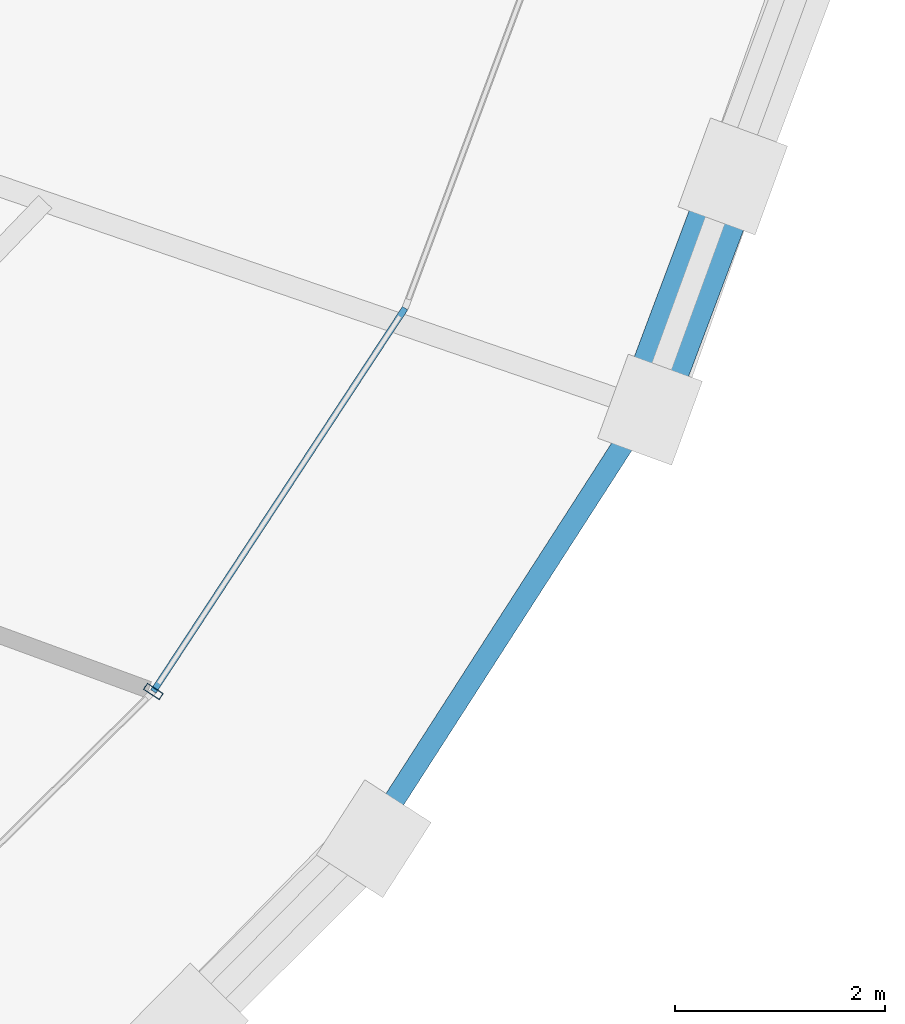
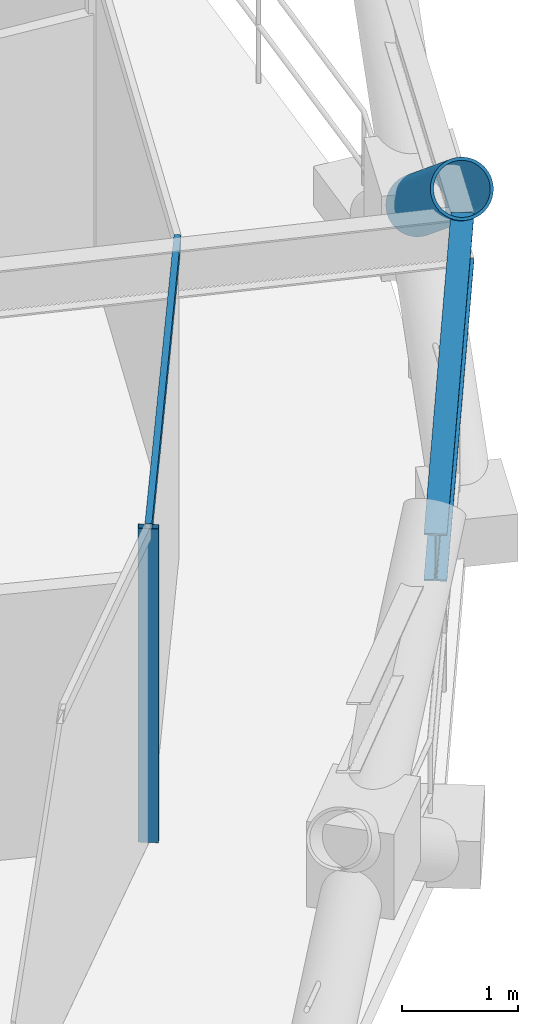
# One storey, part 7 of 21: 3 members, 1 beam, 1 element without a shape of its own.
"""IFC4 building model written with IfcOpenShell, lengths in metres."""

import ifcopenshell
import ifcopenshell.guid

model = None  # the IFC model being written
_history = None  # IfcOwnerHistory: only IFC2X3 demands one
_inside = {}  # id of a spatial element -> (the spatial element, [elements in it])
_under = {}  # id of a project, library or spatial element -> (it, [spatial elements below it])
_declared = {}  # id of a project -> (the project, [libraries it declares])
_typed = {}  # id of a type object -> (the type object, [elements of that type])
_made_of = {}  # id of a material, layer set ... -> (it, [elements and type objects made of it])


def new_model(schema):
    """Start an empty IFC model of exactly this schema.

    Asked for "IFC4X3", IfcOpenShell would pick the latest addendum, in which some entities
    have other attributes; the version numbers below select the first issue.
    IFC2X3 requires an IfcOwnerHistory on every rooted entity: one is made here for all.
    """
    global model, _history
    if schema == "IFC4X3":
        model = ifcopenshell.file(schema_version=(4, 3, 0, 0))
    else:
        model = ifcopenshell.file(schema=schema)
    _inside.clear()
    _under.clear()
    _declared.clear()
    _typed.clear()
    _made_of.clear()
    _history = None
    if model.schema == "IFC2X3":
        org = make("IfcOrganization", Name="unknown")
        user = make(
            "IfcPersonAndOrganization",
            ThePerson=make("IfcPerson", FamilyName="unknown"),
            TheOrganization=org,
        )
        app = make(
            "IfcApplication",
            ApplicationDeveloper=org,
            Version="unknown",
            ApplicationFullName="unknown",
            ApplicationIdentifier="unknown",
        )
        _history = make(
            "IfcOwnerHistory",
            OwningUser=user,
            OwningApplication=app,
            ChangeAction="ADDED",
            CreationDate=0,
        )
    return model


def make(cls, **values):
    """One entity of the class cls with the attributes given. An attribute that is None is left unset."""
    return model.create_entity(
        cls, **{name: value for name, value in values.items() if value is not None}
    )


def rooted(cls, **values):
    """An entity with a GlobalId (a new one), such as an element, a storey or a relation."""
    return make(cls, GlobalId=ifcopenshell.guid.new(), OwnerHistory=_history, **values)


def si_unit(unit_type, name, prefix=None):
    """IfcSIUnit, for example si_unit("LENGTHUNIT", "METRE", prefix="MILLI")."""
    return make("IfcSIUnit", UnitType=unit_type, Prefix=prefix, Name=name)


def assignment(units):
    """IfcUnitAssignment: the units of a project."""
    return None if units is None else make("IfcUnitAssignment", Units=units)


def point(xyz):
    """IfcCartesianPoint."""
    return None if xyz is None else make("IfcCartesianPoint", Coordinates=xyz)


def direction(xyz):
    """IfcDirection."""
    return None if xyz is None else make("IfcDirection", DirectionRatios=xyz)


def frame(location, z_axis=None, x_axis=None):
    """IfcAxis2Placement3D, a coordinate frame: its origin and axes. An axis left out is left unset."""
    return make(
        "IfcAxis2Placement3D",
        Location=point(location),
        Axis=direction(z_axis),
        RefDirection=direction(x_axis),
    )


def frame_2d(location, x_axis=None):
    """IfcAxis2Placement2D, a coordinate frame in the plane: its origin and x axis."""
    return make(
        "IfcAxis2Placement2D", Location=point(location), RefDirection=direction(x_axis)
    )


def origin():
    """The frame at (0, 0, 0) with its axes left unset."""
    return frame((0.0, 0.0, 0.0))


def origin_2d():
    """The frame at (0, 0) in the plane with its x axis left unset."""
    return frame_2d((0.0, 0.0))


def place(relative_to, where):
    """IfcLocalPlacement: puts the frame where relative to a parent placement (None: the world)."""
    return make(
        "IfcLocalPlacement", PlacementRelTo=relative_to, RelativePlacement=where
    )


def context(
    kind, dimensions, precision=None, world=None, true_north=None, identifier=None
):
    """IfcGeometricRepresentationContext, for example the 3D "Model" context."""
    return make(
        "IfcGeometricRepresentationContext",
        ContextIdentifier=identifier,
        ContextType=kind,
        CoordinateSpaceDimension=dimensions,
        Precision=precision,
        WorldCoordinateSystem=world,
        TrueNorth=true_north,
    )


def subcontext(parent, identifier, kind, view, scale=None):
    """IfcGeometricRepresentationSubContext, for example "Body" below "Model"."""
    return make(
        "IfcGeometricRepresentationSubContext",
        ContextIdentifier=identifier,
        ContextType=kind,
        ParentContext=parent,
        TargetScale=scale,
        TargetView=view,
    )


def project(units=None, contexts=None):
    """IfcProject with its units and contexts."""
    return rooted(
        "IfcProject",
        Name="project",
        RepresentationContexts=contexts,
        UnitsInContext=assignment(units),
    )


def spatial(cls, under=None, at=None, **own):
    """A site, building, storey or space (cls), placed at a placement, below another one or the project."""
    s = rooted(cls, ObjectPlacement=at, **own)
    if under is not None:
        _under.setdefault(under.id(), (under, []))[1].append(s)
    return s


def profile(cls, at=None, kind="AREA", **sizes):
    """A parametric profile (cls). Its sizes go by their IFC names, for example OverallWidth=200.0."""
    return make(cls, ProfileType=kind, Position=at, **sizes)


def hollow_rectangle(**sizes):
    """IfcRectangleHollowProfileDef."""
    return profile("IfcRectangleHollowProfileDef", **sizes)


def hollow_circle(**sizes):
    """IfcCircleHollowProfileDef."""
    return profile("IfcCircleHollowProfileDef", **sizes)


def i_section(**sizes):
    """IfcIShapeProfileDef."""
    return profile("IfcIShapeProfileDef", **sizes)


def extrude(swept, where, along, depth):
    """IfcExtrudedAreaSolid: the profile swept, set in the frame where, extruded along a direction by depth."""
    return make(
        "IfcExtrudedAreaSolid",
        SweptArea=swept,
        Position=where,
        ExtrudedDirection=direction(along),
        Depth=depth,
    )


def shape(context_of_items, identifier, shape_type, items):
    """IfcShapeRepresentation: the items that make up one representation, for example the "Body"."""
    return make(
        "IfcShapeRepresentation",
        ContextOfItems=context_of_items,
        RepresentationIdentifier=identifier,
        RepresentationType=shape_type,
        Items=items,
    )


def material(Name=None, Category=None):
    """IfcMaterial."""
    return make("IfcMaterial", Name=Name, Category=Category)


def layer(
    of_material, thickness, ventilated=None, Name=None, Category=None, Priority=None
):
    """IfcMaterialLayer: one layer of a wall or slab, of a material (None: an air gap)."""
    return make(
        "IfcMaterialLayer",
        Material=of_material,
        LayerThickness=thickness,
        IsVentilated=ventilated,
        Name=Name,
        Category=Category,
        Priority=Priority,
    )


def layer_set(layers, Name=None):
    """IfcMaterialLayerSet."""
    return make("IfcMaterialLayerSet", MaterialLayers=layers, LayerSetName=Name)


def material_profile(
    of_material, cross_section, Name=None, Category=None, Priority=None
):
    """IfcMaterialProfile: a cross section and its material."""
    return make(
        "IfcMaterialProfile",
        Name=Name,
        Material=of_material,
        Profile=cross_section,
        Priority=Priority,
        Category=Category,
    )


def profile_set(profiles, Name=None, composite=None):
    """IfcMaterialProfileSet."""
    return make(
        "IfcMaterialProfileSet",
        Name=Name,
        MaterialProfiles=profiles,
        CompositeProfile=composite,
    )


def made_of(thing, what):
    """Note that an element or type object is made of a material, layer set ...; save() writes the relation."""
    if what is not None:
        _made_of.setdefault(what.id(), (what, []))[1].append(thing)
    return thing


def type_object(cls, material=None, **own):
    """A type object (cls), such as IfcWallType, which elements share."""
    return made_of(rooted(cls, **own), material)


def element(
    cls,
    number,
    at=None,
    inside=None,
    cuts=None,
    type_object=None,
    material=None,
    context=None,
    identifier="Body",
    shape_type=None,
    held_by="IfcProductDefinitionShape",
    body=None,
    shapes=None,
    **own,
):
    """One element of the class cls, such as IfcWall. Its Tag is "e" and its number.

    at: its placement. inside: the storey or other place that contains it. cuts: it is an
    opening in that element (IfcRelVoidsElement). A single representation is given by context,
    identifier, shape_type and body (its items); several are given by shapes. held_by: the class
    of the entity that holds the representations. save() writes the other relations.
    """
    e = rooted(cls, Tag="e%d" % number, ObjectPlacement=at, **own)
    if body is not None:
        shapes = [shape(context, identifier, shape_type, body)]
    if shapes is not None:
        e.Representation = make(held_by, Representations=shapes)
    if inside is not None:
        _inside.setdefault(inside.id(), (inside, []))[1].append(e)
    if cuts is not None:
        rooted(
            "IfcRelVoidsElement", RelatingBuildingElement=cuts, RelatedOpeningElement=e
        )
    if type_object is not None:
        _typed.setdefault(type_object.id(), (type_object, []))[1].append(e)
    return made_of(e, material)


def aggregate(whole, parts):
    """IfcRelAggregates: a whole, such as a stair, and the parts it consists of."""
    return rooted("IfcRelAggregates", RelatingObject=whole, RelatedObjects=parts)


def save(model, path):
    """Write the relations noted so far, then the file.

    IfcRelAggregates (storeys below a building ...), IfcRelContainedInSpatialStructure (elements
    in a storey), IfcRelDefinesByType, IfcRelAssociatesMaterial and IfcRelDeclares: one each for
    every whole, place, type object, material and project.
    """
    for whole, parts in _under.values():
        aggregate(whole, parts)
    for where, things in _inside.values():
        rooted(
            "IfcRelContainedInSpatialStructure",
            RelatedElements=things,
            RelatingStructure=where,
        )
    for kind, things in _typed.values():
        rooted("IfcRelDefinesByType", RelatedObjects=things, RelatingType=kind)
    for what, things in _made_of.values():
        rooted("IfcRelAssociatesMaterial", RelatedObjects=things, RelatingMaterial=what)
    for by, libraries in _declared.values():
        rooted("IfcRelDeclares", RelatingContext=by, RelatedDefinitions=libraries)
    model.write(path)


model = new_model("IFC4")

# Units and contexts
model_context = context("Model", 3, precision=1e-05, world=origin(), true_north=direction((0.0, 1.0)))
body_context = subcontext(model_context, "Body", "Model", "MODEL_VIEW")
ifc_project = project(units=[si_unit("LENGTHUNIT", "METRE"), si_unit("AREAUNIT", "SQUARE_METRE"), si_unit("VOLUMEUNIT", "CUBIC_METRE"), si_unit("PLANEANGLEUNIT", "RADIAN"), si_unit("MASSUNIT", "GRAM", prefix="KILO")], contexts=[model_context])

# Site, building, storey
site_placement = place(None, origin())
site = spatial("IfcSite", under=ifc_project, at=site_placement, CompositionType="ELEMENT")
building_placement = place(site_placement, origin())
building = spatial("IfcBuilding", under=site, at=building_placement, Name="Veldorina Hangang Commons", CompositionType="ELEMENT")
storey_placement = place(building_placement, frame((0.0, 0.0, 142.39990234375)))
storey = spatial("IfcBuildingStorey", under=building, at=storey_placement, Name="L36", CompositionType="ELEMENT", Elevation=142.39990234375)

# Beam
ifc_material_1 = material(Name="Steel SM420-TMC", Category="steel")
ifc_material_profile_1 = material_profile(ifc_material_1, i_section(OverallWidth=0.199951171875, OverallDepth=0.5, WebThickness=0.010009765625, FlangeThickness=0.01611328125, FilletRadius=0.01611328125, at=origin_2d()), Name="H-500x200x10x16")
ifc_profile_set_1 = profile_set([ifc_material_profile_1], Name="Steel SM420-TMC")
beam_type = type_object("IfcBeamType", Name="BM-RB500", PredefinedType="BEAM", material=ifc_profile_set_1)
beam_placement = place(storey_placement, frame((55.59423828125, 10.90869140625, 3.10009765625), z_axis=(0.541243941663, 0.840865622804, 0.0), x_axis=(-0.840865622804, 0.541243941663, 0.0)))
element("IfcBeam", 1, at=beam_placement, inside=storey, type_object=beam_type, Name="L36 perimeter hoop ring beam 29", PredefinedType="BEAM", context=body_context, shape_type="SweptSolid", body=[
    extrude(i_section(OverallWidth=0.199951171875, OverallDepth=0.5, WebThickness=0.010009765625, FlangeThickness=0.01611328125, FilletRadius=0.01611328125, at=origin_2d()), origin(), (0.0, 0.0, 1.0), 4.844970703125),
])

# Curtain wall, members
ifc_material_2 = material(Name="Glass Low-E Triple IGU", Category="glass")
ifc_layer = layer(ifc_material_2, 0.179931640625)
ifc_layer_set = layer_set([ifc_layer], Name="Glass Low-E Triple IGU")
curtain_wall_type = type_object("IfcCurtainWallType", Name="CW-SYS-Z2", PredefinedType="NOTDEFINED", material=ifc_layer_set)
curtain_wall_placement = place(storey_placement, origin())
curtain_wall = element("IfcCurtainWall", 2, at=curtain_wall_placement, inside=storey, type_object=curtain_wall_type, Name="L36 unitised curtain wall CW-L36-R2", PredefinedType="NOTDEFINED")
ifc_material_3 = material(Name="Aluminium Anodized AA6063-T6", Category="aluminium")
ifc_material_profile_2 = material_profile(ifc_material_3, hollow_rectangle(XDim=0.070068359375, YDim=0.179931640625, WallThickness=0.00390625, at=origin_2d()), Name="ALU-RHS-180x70x4")
ifc_profile_set_2 = profile_set([ifc_material_profile_2], Name="Aluminium Anodized AA6063-T6")
member_type_1 = type_object("IfcMemberType", Name="CW-MUL-180", PredefinedType="MULLION", material=ifc_profile_set_2)
member_1_placement = place(storey_placement, frame((53.530517578125, 12.2939453125, 0.0), z_axis=(0.0, 0.0, 1.0), x_axis=(0.549037405505, 0.835797778985, 0.0)))
member_1 = element("IfcMember", 3, at=member_1_placement, type_object=member_type_1, Name="CW-L36-R2 vertical mullion 2", PredefinedType="MULLION", context=body_context, shape_type="SweptSolid", body=[
    extrude(hollow_rectangle(XDim=0.070068359375, YDim=0.179931640625, WallThickness=0.00390625, at=origin_2d()), origin(), (0.0, 0.0, 1.0), 3.31005859375),
])
ifc_material_profile_3 = material_profile(ifc_material_3, hollow_rectangle(XDim=0.06005859375, YDim=0.139892578125, WallThickness=0.00341796875, at=origin_2d()), Name="ALU-RHS-140x60x3.5")
ifc_profile_set_3 = profile_set([ifc_material_profile_3], Name="Aluminium Anodized AA6063-T6")
member_type_2 = type_object("IfcMemberType", Name="CW-TRN-140", PredefinedType="USERDEFINED", material=ifc_profile_set_3)
member_2_placement = place(storey_placement, frame((53.530517578125, 12.2939453125, 3.27001953125), z_axis=(0.549051576901, 0.835788469592, 0.0), x_axis=(-0.835788469592, 0.549051576901, 0.0)))
member_2 = element("IfcMember", 4, at=member_2_placement, type_object=member_type_2, Name="CW-L36-R2 facet 3 transom 1", ObjectType="TRANSOM", PredefinedType="USERDEFINED", context=body_context, shape_type="SweptSolid", body=[
    extrude(hollow_rectangle(XDim=0.06005859375, YDim=0.139892578125, WallThickness=0.00341796875, at=origin_2d()), origin(), (0.0, 0.0, 1.0), 4.358642578125),
])
aggregate(curtain_wall, [member_1, member_2])

# Member
ifc_material_profile_4 = material_profile(ifc_material_1, hollow_circle(Radius=0.27490234375, WallThickness=0.028076171875, at=origin_2d()), Name="CHS-550x28")
ifc_profile_set_4 = profile_set([ifc_material_profile_4], Name="Steel SM420-TMC")
member_type_3 = type_object("IfcMemberType", Name="DG-CHS550", PredefinedType="BRACE", material=ifc_profile_set_4)
member_3_placement = place(storey_placement, frame((59.0390625, 17.189697265625, 1.80126953125), z_axis=(-0.279381666429, -0.744084308526, 0.606864421654), x_axis=(0.936184301282, -0.351509536191, 0.0)))
element("IfcMember", 5, at=member_3_placement, inside=storey, type_object=member_type_3, Name="L36 split perimeter diagrid upper brace 31", PredefinedType="BRACE", context=body_context, shape_type="SweptSolid", body=[
    extrude(hollow_circle(Radius=0.27490234375, WallThickness=0.028076171875, at=origin_2d()), origin(), (0.0, 0.0, 1.0), 2.964111328125),
])

save(model, "model.ifc")
